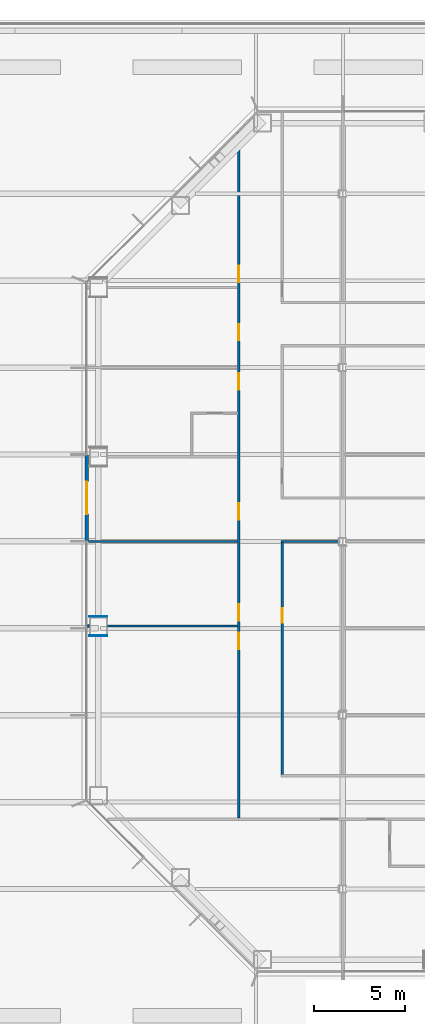
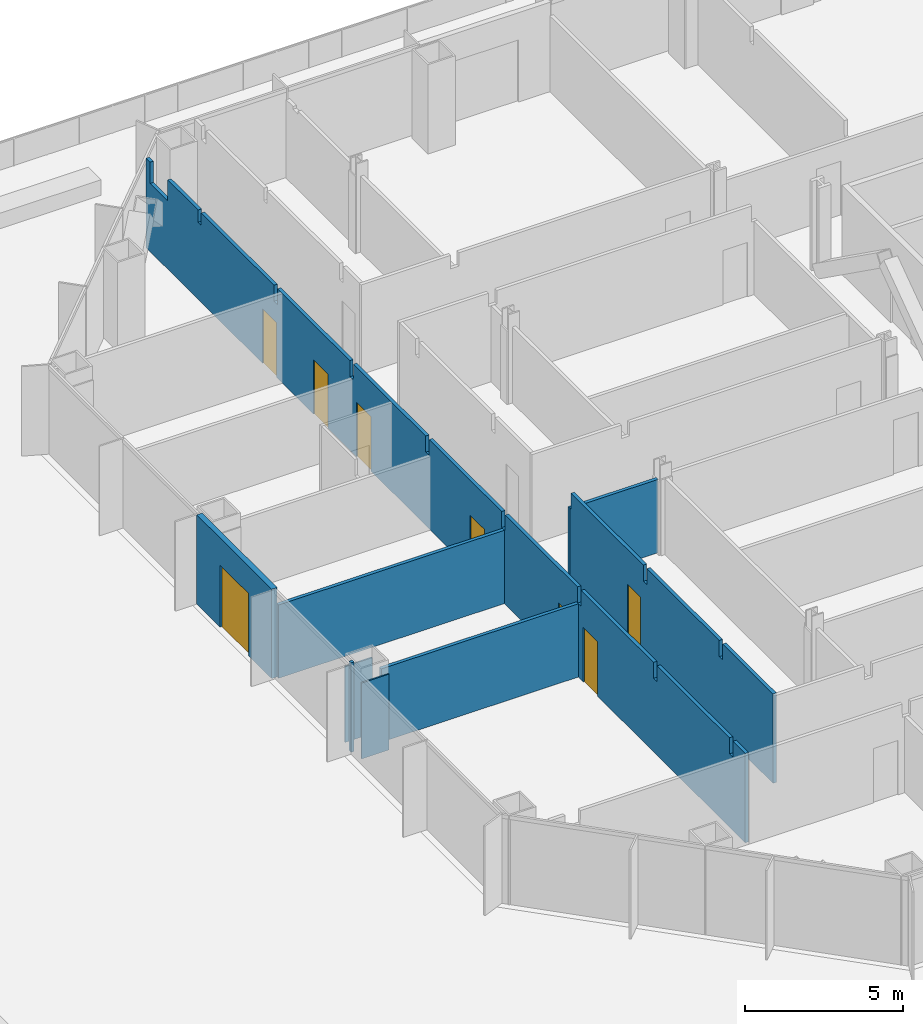
# One storey, part 8 of 18: 9 walls, 8 doors, 8 openings.
"""IFC4 building model written with IfcOpenShell, lengths in metres."""

from ifc_helpers import new_model, si_unit, direction, frame, frame_2d, origin, place, context, subcontext, project, spatial, polyline, rectangle, outline, extrude, material, layer, layer_set, type_object, element, fill, save


model = new_model("IFC4")

# Units and contexts
model_context = context("Model", 3, precision=1e-05, world=origin(), true_north=direction((0.0, 1.0)))
body_context = subcontext(model_context, "Body", "Model", "MODEL_VIEW")
ifc_project = project(units=[si_unit("LENGTHUNIT", "METRE"), si_unit("AREAUNIT", "SQUARE_METRE"), si_unit("VOLUMEUNIT", "CUBIC_METRE"), si_unit("PLANEANGLEUNIT", "RADIAN"), si_unit("MASSUNIT", "GRAM", prefix="KILO")], contexts=[model_context])

# Site, building, storey
site_placement = place(None, origin())
site = spatial("IfcSite", under=ifc_project, at=site_placement, CompositionType="ELEMENT")
building_placement = place(site_placement, origin())
building = spatial("IfcBuilding", under=site, at=building_placement, Name="Cairn Pilgrim Tower", CompositionType="ELEMENT")
storey_placement = place(building_placement, frame((0.0, 0.0, 40.199951171875)))
storey = spatial("IfcBuildingStorey", under=building, at=storey_placement, Name="L07", CompositionType="ELEMENT", Elevation=40.199951171875)

# Wall, opening, door
ifc_material_1 = material(Name="Bronze anodised aluminium insulated sandwich panel with mineral wool fill", Category="aluminium")
ifc_layer_1 = layer(ifc_material_1, 0.199951171875)
ifc_layer_set_1 = layer_set([ifc_layer_1], Name="BRONZE INFILL FRAME WALL 200")
wall_type_1 = type_object("IfcWallType", Name="BRONZE INFILL FRAME WALL 200", PredefinedType="NOTDEFINED", material=ifc_layer_set_1)
wall_1_placement = place(storey_placement, frame((-28.550048828125, 4.77001953125, 0.0), z_axis=(0.0, 0.0, 1.0), x_axis=(0.0, -1.0, 0.0)))
wall_1 = element("IfcWall", 1, at=wall_1_placement, inside=storey, type_object=wall_type_1, Name="Bronze infill frame wall IW-W3", PredefinedType="NOTDEFINED", context=body_context, shape_type="SweptSolid", body=[
    extrude(rectangle(XDim=4.739990234375, YDim=0.199951171875, at=frame_2d((2.3701171875, 0.0))), origin(), (0.0, 0.0, 1.0), 3.449951171875),
])
opening_1_placement = place(wall_1_placement, frame((1.469970703125, 0.0, 0.0)))
opening_1 = element("IfcOpeningElement", 2, at=opening_1_placement, cuts=wall_1, Name="Opening 0711B", PredefinedType="OPENING", context=body_context, shape_type="SweptSolid", body=[
    extrude(rectangle(XDim=1.800048828125, YDim=2.39990234375, at=frame_2d((0.89990234375, 1.199951171875))), frame((0.0, 0.10986328125, 0.0), z_axis=(0.0, -1.0, 0.0), x_axis=(1.0, 0.0, 0.0)), (0.0, 0.0, 1.0), 0.219970703125),
])
ifc_material_2 = material(Name="Bronze anodised aluminium frame with tinted low-E glass", Category="aluminium")
door_type_1 = type_object("IfcDoorType", Name="BALCONY SLIDING DOOR 1800x2400", OperationType="DOUBLE_DOOR_SLIDING", PredefinedType="DOOR", material=ifc_material_2)
door_1_placement = place(opening_1_placement, origin())
door_1 = element("IfcDoor", 3, at=door_1_placement, inside=storey, type_object=door_type_1, Name="Balcony sliding door 0711B", OperationType="SINGLE_SWING_LEFT", OverallHeight=2.39990234375, OverallWidth=1.800048828125, PredefinedType="DOOR", context=body_context, shape_type="SweptSolid", body=[
    extrude(rectangle(XDim=1.800048828125, YDim=2.39990234375, at=frame_2d((0.89990234375, 1.199951171875))), frame((0.0, 0.02490234375, 0.0), z_axis=(0.0, -1.0, 0.0), x_axis=(1.0, 0.0, 0.0)), (0.0, 0.0, 1.0), 0.050048828125),
])
fill(opening_1, door_1)

# Wall, openings, doors
ifc_material_3 = material(Name="Gypsum partition")
ifc_layer_2 = layer(ifc_material_3, 0.125)
ifc_layer_set_2 = layer_set([ifc_layer_2], Name="PARTITION 125 DRYWALL EI 60")
wall_type_2 = type_object("IfcWallType", Name="PARTITION 125 DRYWALL EI 60", PredefinedType="PARTITIONING", material=ifc_layer_set_2)
wall_2_placement = place(storey_placement, frame((-20.14990234375, -15.28759765625, 0.0), z_axis=(0.0, 0.0, 1.0), x_axis=(0.0, 1.0, 0.0)))
wall_2 = element("IfcWall", 4, at=wall_2_placement, inside=storey, type_object=wall_type_2, Name="PARTITION W023", PredefinedType="PARTITIONING", context=body_context, shape_type="SweptSolid", body=[
    extrude(outline(polyline([(0.0, 0.0), (37.876220703125, 0.0), (37.876220703125, 3.449951171875), (37.622314453125, 3.449951171875), (37.6201171875, 2.630126953125), (36.507080078125, 2.630126953125), (36.505126953125, 3.449951171875), (34.58251953125, 3.449951171875), (34.58056640625, 2.97998046875), (34.392578125, 2.97998046875), (34.390380859375, 3.449951171875), (29.797607421875, 3.449951171875), (29.79541015625, 2.830078125), (29.577392578125, 2.830078125), (29.575439453125, 3.449951171875), (24.99755859375, 3.449951171875), (24.99560546875, 2.830078125), (24.777587890625, 2.830078125), (24.775390625, 3.449951171875), (20.197509765625, 3.449951171875), (20.195556640625, 2.830078125), (19.9775390625, 2.830078125), (19.9755859375, 3.449951171875), (15.3974609375, 3.449951171875), (15.3955078125, 2.830078125), (15.177490234375, 2.830078125), (15.175537109375, 3.449951171875), (10.597412109375, 3.449951171875), (10.595458984375, 2.830078125), (10.37744140625, 2.830078125), (10.37548828125, 3.449951171875), (5.797607421875, 3.449951171875), (5.79541015625, 2.830078125), (5.577392578125, 2.830078125), (5.575439453125, 3.449951171875), (0.99755859375, 3.449951171875), (0.99560546875, 2.830078125), (0.777587890625, 2.830078125), (0.775390625, 3.449951171875), (0.0, 3.449951171875), (0.0, 0.0)])), frame((0.0, 0.0625, 0.0), z_axis=(0.0, -1.0, 0.0), x_axis=(1.0, 0.0, 0.0)), (0.0, 0.0, 1.0), 0.125),
])
opening_2_placement = place(wall_2_placement, frame((9.33740234375, 0.0, 0.0)))
opening_2 = element("IfcOpeningElement", 5, at=opening_2_placement, cuts=wall_2, Name="Opening 0709", PredefinedType="OPENING", context=body_context, shape_type="SweptSolid", body=[
    extrude(rectangle(XDim=0.89990234375, YDim=2.10009765625, at=frame_2d((0.449951171875, 1.050048828125))), frame((0.0, 0.072509765625, 0.0), z_axis=(0.0, -1.0, 0.0), x_axis=(1.0, 0.0, 0.0)), (0.0, 0.0, 1.0), 0.14501953125),
])
opening_3_placement = place(wall_2_placement, frame((10.91162109375, 0.0, 0.0)))
opening_3 = element("IfcOpeningElement", 6, at=opening_3_placement, cuts=wall_2, Name="Opening 0710", PredefinedType="OPENING", context=body_context, shape_type="SweptSolid", body=[
    extrude(rectangle(XDim=0.89990234375, YDim=2.10009765625, at=frame_2d((0.449951171875, 1.050048828125))), frame((0.0, 0.072509765625, 0.0), z_axis=(0.0, -1.0, 0.0), x_axis=(1.0, 0.0, 0.0)), (0.0, 0.0, 1.0), 0.14501953125),
])
opening_4_placement = place(wall_2_placement, frame((16.487548828125, 0.0, 0.0)))
opening_4 = element("IfcOpeningElement", 7, at=opening_4_placement, cuts=wall_2, Name="Opening 0711", PredefinedType="OPENING", context=body_context, shape_type="SweptSolid", body=[
    extrude(rectangle(XDim=0.89990234375, YDim=2.10009765625, at=frame_2d((0.449951171875, 1.050048828125))), frame((0.0, 0.072509765625, 0.0), z_axis=(0.0, -1.0, 0.0), x_axis=(1.0, 0.0, 0.0)), (0.0, 0.0, 1.0), 0.14501953125),
])
opening_5_placement = place(wall_2_placement, frame((23.66357421875, 0.0, 0.0)))
opening_5 = element("IfcOpeningElement", 8, at=opening_5_placement, cuts=wall_2, Name="Opening 0712", PredefinedType="OPENING", context=body_context, shape_type="SweptSolid", body=[
    extrude(rectangle(XDim=0.89990234375, YDim=2.10009765625, at=frame_2d((0.449951171875, 1.050048828125))), frame((0.0, 0.072509765625, 0.0), z_axis=(0.0, -1.0, 0.0), x_axis=(1.0, 0.0, 0.0)), (0.0, 0.0, 1.0), 0.14501953125),
])
opening_6_placement = place(wall_2_placement, frame((26.387451171875, 0.0, 0.0)))
opening_6 = element("IfcOpeningElement", 9, at=opening_6_placement, cuts=wall_2, Name="Opening 0713", PredefinedType="OPENING", context=body_context, shape_type="SweptSolid", body=[
    extrude(rectangle(XDim=0.89990234375, YDim=2.10009765625, at=frame_2d((0.449951171875, 1.050048828125))), frame((0.0, 0.072509765625, 0.0), z_axis=(0.0, -1.0, 0.0), x_axis=(1.0, 0.0, 0.0)), (0.0, 0.0, 1.0), 0.14501953125),
])
opening_7_placement = place(wall_2_placement, frame((29.614501953125, 0.0, 0.0)))
opening_7 = element("IfcOpeningElement", 10, at=opening_7_placement, cuts=wall_2, Name="Opening 0714", PredefinedType="OPENING", context=body_context, shape_type="SweptSolid", body=[
    extrude(rectangle(XDim=0.89990234375, YDim=2.10009765625, at=frame_2d((0.449951171875, 1.050048828125))), frame((0.0, 0.072509765625, 0.0), z_axis=(0.0, -1.0, 0.0), x_axis=(1.0, 0.0, 0.0)), (0.0, 0.0, 1.0), 0.14501953125),
])
ifc_material_4 = material(Name="Steel-faced fire door leaf", Category="steel")
door_type_2 = type_object("IfcDoorType", Name="FIRE DOOR 900x2100 FD30S", OperationType="NOTDEFINED", PredefinedType="DOOR", material=ifc_material_4)
door_2_placement = place(opening_2_placement, origin())
door_2 = element("IfcDoor", 11, at=door_2_placement, inside=storey, type_object=door_type_2, Name="DOOR 0709", OperationType="SINGLE_SWING_LEFT", OverallHeight=2.10009765625, OverallWidth=0.89990234375, PredefinedType="DOOR", context=body_context, shape_type="SweptSolid", body=[
    extrude(rectangle(XDim=0.89990234375, YDim=2.10009765625, at=frame_2d((0.449951171875, 1.050048828125))), frame((0.0, 0.02490234375, 0.0), z_axis=(0.0, -1.0, 0.0), x_axis=(1.0, 0.0, 0.0)), (0.0, 0.0, 1.0), 0.050048828125),
])
fill(opening_2, door_2)
door_3_placement = place(opening_3_placement, origin())
door_3 = element("IfcDoor", 12, at=door_3_placement, inside=storey, type_object=door_type_2, Name="DOOR 0710", OperationType="SINGLE_SWING_RIGHT", OverallHeight=2.10009765625, OverallWidth=0.89990234375, PredefinedType="DOOR", context=body_context, shape_type="SweptSolid", body=[
    extrude(rectangle(XDim=0.89990234375, YDim=2.10009765625, at=frame_2d((0.449951171875, 1.050048828125))), frame((0.0, 0.02490234375, 0.0), z_axis=(0.0, -1.0, 0.0), x_axis=(1.0, 0.0, 0.0)), (0.0, 0.0, 1.0), 0.050048828125),
])
fill(opening_3, door_3)
door_4_placement = place(opening_4_placement, origin())
door_4 = element("IfcDoor", 13, at=door_4_placement, inside=storey, type_object=door_type_2, Name="DOOR 0711", OperationType="SINGLE_SWING_LEFT", OverallHeight=2.10009765625, OverallWidth=0.89990234375, PredefinedType="DOOR", context=body_context, shape_type="SweptSolid", body=[
    extrude(rectangle(XDim=0.89990234375, YDim=2.10009765625, at=frame_2d((0.449951171875, 1.050048828125))), frame((0.0, 0.02490234375, 0.0), z_axis=(0.0, -1.0, 0.0), x_axis=(1.0, 0.0, 0.0)), (0.0, 0.0, 1.0), 0.050048828125),
])
fill(opening_4, door_4)
door_5_placement = place(opening_5_placement, origin())
door_5 = element("IfcDoor", 14, at=door_5_placement, inside=storey, type_object=door_type_2, Name="DOOR 0712", OperationType="SINGLE_SWING_RIGHT", OverallHeight=2.10009765625, OverallWidth=0.89990234375, PredefinedType="DOOR", context=body_context, shape_type="SweptSolid", body=[
    extrude(rectangle(XDim=0.89990234375, YDim=2.10009765625, at=frame_2d((0.449951171875, 1.050048828125))), frame((0.0, 0.02490234375, 0.0), z_axis=(0.0, -1.0, 0.0), x_axis=(1.0, 0.0, 0.0)), (0.0, 0.0, 1.0), 0.050048828125),
])
fill(opening_5, door_5)
door_6_placement = place(opening_6_placement, origin())
door_6 = element("IfcDoor", 15, at=door_6_placement, inside=storey, type_object=door_type_2, Name="DOOR 0713", OperationType="SINGLE_SWING_RIGHT", OverallHeight=2.10009765625, OverallWidth=0.89990234375, PredefinedType="DOOR", context=body_context, shape_type="SweptSolid", body=[
    extrude(rectangle(XDim=0.89990234375, YDim=2.10009765625, at=frame_2d((0.449951171875, 1.050048828125))), frame((0.0, 0.02490234375, 0.0), z_axis=(0.0, -1.0, 0.0), x_axis=(1.0, 0.0, 0.0)), (0.0, 0.0, 1.0), 0.050048828125),
])
fill(opening_6, door_6)
door_7_placement = place(opening_7_placement, origin())
door_7 = element("IfcDoor", 16, at=door_7_placement, inside=storey, type_object=door_type_2, Name="DOOR 0714", OperationType="SINGLE_SWING_LEFT", OverallHeight=2.10009765625, OverallWidth=0.89990234375, PredefinedType="DOOR", context=body_context, shape_type="SweptSolid", body=[
    extrude(rectangle(XDim=0.89990234375, YDim=2.10009765625, at=frame_2d((0.449951171875, 1.050048828125))), frame((0.0, 0.02490234375, 0.0), z_axis=(0.0, -1.0, 0.0), x_axis=(1.0, 0.0, 0.0)), (0.0, 0.0, 1.0), 0.050048828125),
])
fill(opening_7, door_7)

# Wall, opening, door
wall_3_placement = place(storey_placement, frame((-17.75, -12.887451171875, 0.0), z_axis=(0.0, 0.0, 1.0), x_axis=(0.0, 1.0, 0.0)))
wall_3 = element("IfcWall", 17, at=wall_3_placement, inside=storey, type_object=wall_type_2, Name="PARTITION W027", PredefinedType="PARTITIONING", context=body_context, shape_type="SweptSolid", body=[
    extrude(outline(polyline([(0.0, 0.0), (12.824951171875, 0.0), (12.824951171875, 2.830078125), (12.777587890625, 2.830078125), (12.775390625, 3.449951171875), (8.197509765625, 3.449951171875), (8.195556640625, 2.830078125), (7.9775390625, 2.830078125), (7.9755859375, 3.449951171875), (3.3974609375, 3.449951171875), (3.3955078125, 2.830078125), (3.177490234375, 2.830078125), (3.175537109375, 3.449951171875), (0.0, 3.449951171875), (0.0, 0.0)])), frame((0.0, 0.0625, 0.0), z_axis=(0.0, -1.0, 0.0), x_axis=(1.0, 0.0, 0.0)), (0.0, 0.0, 1.0), 0.125),
])
opening_8_placement = place(wall_3_placement, frame((8.387451171875, 0.0, 0.0)))
opening_8 = element("IfcOpeningElement", 18, at=opening_8_placement, cuts=wall_3, Name="Opening 0732", PredefinedType="OPENING", context=body_context, shape_type="SweptSolid", body=[
    extrude(rectangle(XDim=0.800048828125, YDim=2.10009765625, at=frame_2d((0.39990234375, 1.050048828125))), frame((0.0, 0.072509765625, 0.0), z_axis=(0.0, -1.0, 0.0), x_axis=(1.0, 0.0, 0.0)), (0.0, 0.0, 1.0), 0.14501953125),
])
door_type_3 = type_object("IfcDoorType", Name="FIRE DOOR 800x2100 FD30S", OperationType="NOTDEFINED", PredefinedType="DOOR", material=ifc_material_4)
door_8_placement = place(opening_8_placement, frame((0.800048828125, 0.0, 0.0), z_axis=(0.0, 0.0, 1.0), x_axis=(-1.0, 0.0, 0.0)))
door_8 = element("IfcDoor", 19, at=door_8_placement, inside=storey, type_object=door_type_3, Name="DOOR 0732", OperationType="SINGLE_SWING_LEFT", OverallHeight=2.10009765625, OverallWidth=0.800048828125, PredefinedType="DOOR", context=body_context, shape_type="SweptSolid", body=[
    extrude(rectangle(XDim=0.800048828125, YDim=2.10009765625, at=frame_2d((0.39990234375, 1.050048828125))), frame((0.0, 0.02490234375, 0.0), z_axis=(0.0, -1.0, 0.0), x_axis=(1.0, 0.0, 0.0)), (0.0, 0.0, 1.0), 0.050048828125),
])
fill(opening_8, door_8)

# Walls
wall_4_placement = place(storey_placement, frame((-28.5029296875, -4.676025390625, 0.0), z_axis=(0.0, 0.0, 1.0), x_axis=(1.0, 0.0, 0.0)))
element("IfcWall", 20, at=wall_4_placement, inside=storey, type_object=wall_type_2, Name="PARTITION W047", PredefinedType="PARTITIONING", context=body_context, shape_type="SweptSolid", body=[
    extrude(rectangle(XDim=0.10302734375, YDim=0.125, at=frame_2d((0.051513671875, 0.0))), origin(), (0.0, 0.0, 1.0), 3.449951171875),
])
wall_5_placement = place(storey_placement, frame((-27.39990234375, -4.676025390625, 0.0), z_axis=(0.0, 0.0, 1.0), x_axis=(1.0, 0.0, 0.0)))
element("IfcWall", 21, at=wall_5_placement, inside=storey, type_object=wall_type_2, Name="PARTITION W048", PredefinedType="PARTITIONING", context=body_context, shape_type="SweptSolid", body=[
    extrude(rectangle(XDim=7.1875, YDim=0.125, at=frame_2d((3.59375, 0.0))), origin(), (0.0, 0.0, 1.0), 2.830078125),
])
wall_6_placement = place(storey_placement, frame((-28.449951171875, 0.0, 0.0), z_axis=(0.0, 0.0, 1.0), x_axis=(1.0, 0.0, 0.0)))
element("IfcWall", 22, at=wall_6_placement, inside=storey, type_object=wall_type_2, Name="PARTITION W053", PredefinedType="PARTITIONING", context=body_context, shape_type="SweptSolid", body=[
    extrude(rectangle(XDim=8.237548828125, YDim=0.125, at=frame_2d((4.11865234375, 0.0))), origin(), (0.0, 0.0, 1.0), 2.830078125),
])
wall_7_placement = place(storey_placement, frame((-17.8125, 0.0, 0.0), z_axis=(0.0, 0.0, 1.0), x_axis=(1.0, 0.0, 0.0)))
element("IfcWall", 23, at=wall_7_placement, inside=storey, type_object=wall_type_2, Name="PARTITION W054", PredefinedType="PARTITIONING", context=body_context, shape_type="SweptSolid", body=[
    extrude(rectangle(XDim=3.2080078125, YDim=0.125, at=frame_2d((1.60400390625, 0.0))), origin(), (0.0, 0.0, 1.0), 2.830078125),
])
ifc_layer_3 = layer(ifc_material_3, 0.050048828125)
ifc_layer_set_3 = layer_set([ifc_layer_3], Name="PARTITION 50 DRYWALL EI 60")
wall_type_3 = type_object("IfcWallType", Name="PARTITION 50 DRYWALL EI 60", PredefinedType="PARTITIONING", material=ifc_layer_set_3)
for number, where, z_axis, x_axis, name in (
    (24, (-28.39990234375, -4.150634765625, 0.0), (0.0, 0.0, 1.0), (1.0, 0.0, 0.0), "COLUMN CASING WC18"),
    (25, (-28.39990234375, -5.20068359375, 0.0), (0.0, 0.0, 1.0), (1.0, 0.0, 0.0), "COLUMN CASING WC19"),
):
    element("IfcWall", number, at=place(storey_placement, frame(where, z_axis=z_axis, x_axis=x_axis)), inside=storey, type_object=wall_type_3, Name=name, PredefinedType="PARTITIONING", context=body_context, shape_type="SweptSolid", body=[
        extrude(rectangle(XDim=1.0, YDim=0.050048828125, at=frame_2d((0.5, 0.0))), origin(), (0.0, 0.0, 1.0), 2.929931640625),
    ])

save(model, "model.ifc")
